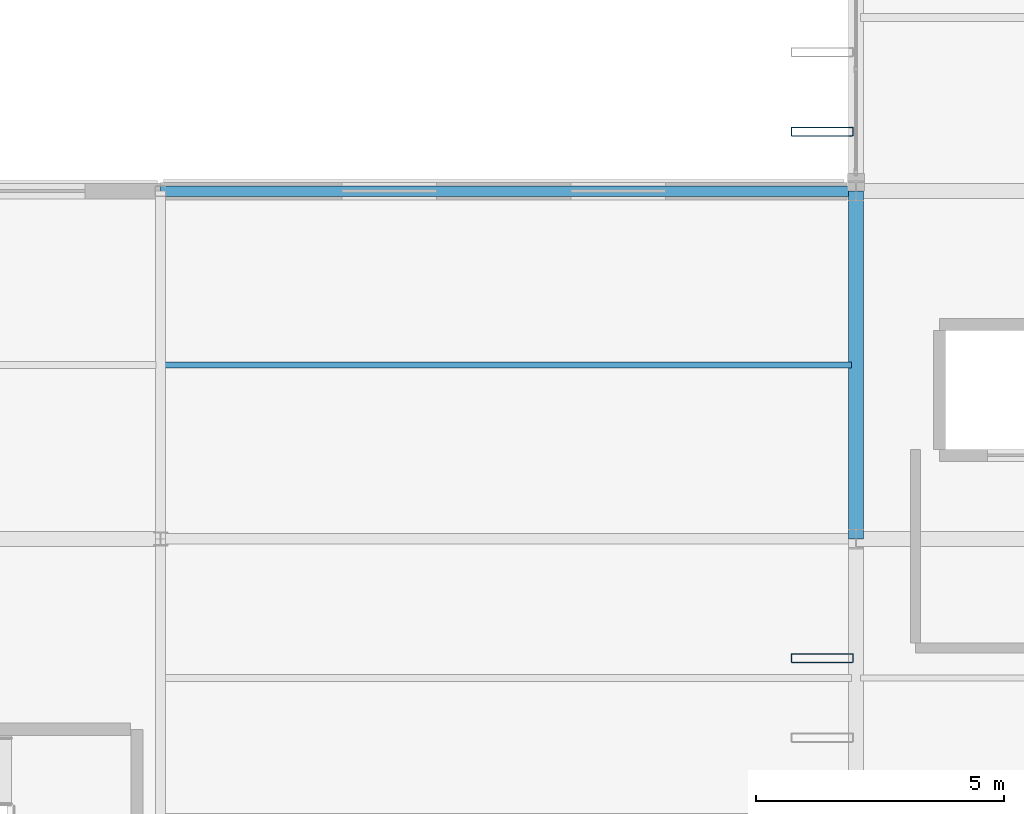
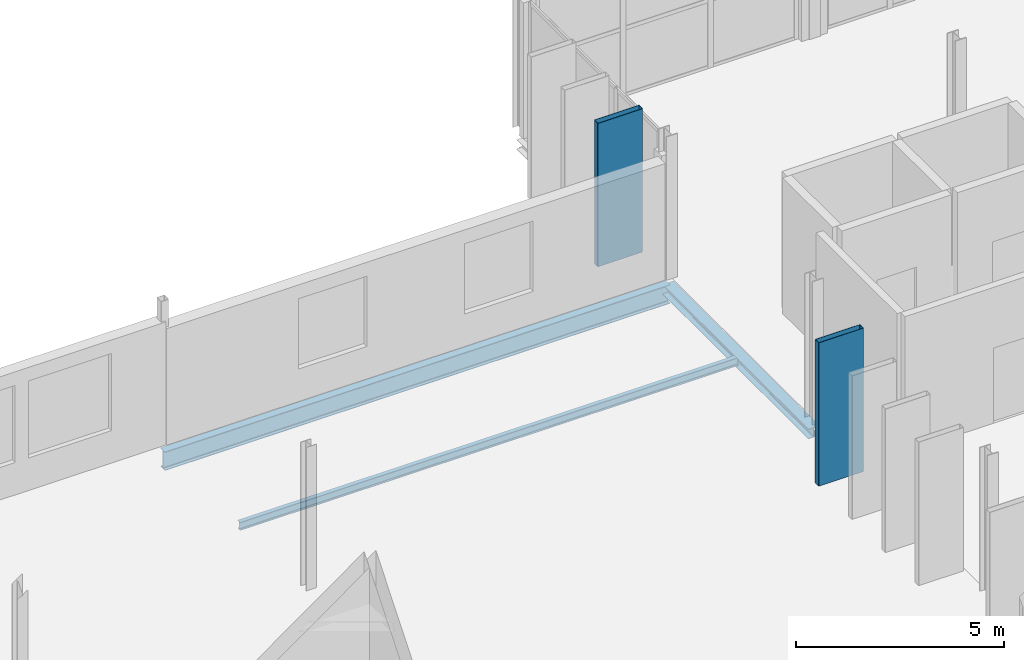
# One storey, part 21 of 101: 3 beams, 2 members.
"""IFC4 building model written with IfcOpenShell, lengths in metres."""

from ifc_helpers import new_model, si_unit, direction, frame, origin, origin_2d, place, context, subcontext, project, spatial, hollow_rectangle, i_section, extrude, material, material_profile, profile_set, type_object, element, save


model = new_model("IFC4")

# Units and contexts
model_context = context("Model", 3, precision=1e-05, world=origin(), true_north=direction((0.0, 1.0)))
body_context = subcontext(model_context, "Body", "Model", "MODEL_VIEW")
ifc_project = project(units=[si_unit("LENGTHUNIT", "METRE"), si_unit("AREAUNIT", "SQUARE_METRE"), si_unit("VOLUMEUNIT", "CUBIC_METRE"), si_unit("PLANEANGLEUNIT", "RADIAN"), si_unit("MASSUNIT", "GRAM", prefix="KILO")], contexts=[model_context])

# Site, building, storey
site_placement = place(None, origin())
site = spatial("IfcSite", under=ifc_project, at=site_placement, CompositionType="ELEMENT")
building_placement = place(site_placement, origin())
building = spatial("IfcBuilding", under=site, at=building_placement, Name="Vekula Escarpment Museum", CompositionType="ELEMENT")
storey_placement = place(building_placement, frame((0.0, 0.0, 18.0)))
storey = spatial("IfcBuildingStorey", under=building, at=storey_placement, Name="L04", CompositionType="ELEMENT", Elevation=18.0)

# Beams
ifc_material_1 = material(Name="Steel S355", Category="steel")
ifc_material_profile_1 = material_profile(ifc_material_1, i_section(OverallWidth=0.2099609375, OverallDepth=0.550048828125, WebThickness=0.010986328125, FlangeThickness=0.01708984375, FilletRadius=0.02392578125, at=origin_2d()), Name="IPE 550")
ifc_profile_set_1 = profile_set([ifc_material_profile_1], Name="Steel S355")
beam_type_1 = type_object("IfcBeamType", Name="BM-GIRD-IPE550", PredefinedType="BEAM", material=ifc_profile_set_1)
beam_1_placement = place(storey_placement, frame((56.0, 83.39990234375, -0.514892578125), z_axis=(1.0, 0.0, 0.0), x_axis=(0.0, 1.0, 0.0)))
element("IfcBeam", 1, at=beam_1_placement, inside=storey, type_object=beam_type_1, Name="Beam X L04 1770", PredefinedType="BEAM", context=body_context, shape_type="SweptSolid", body=[
    extrude(i_section(OverallWidth=0.2099609375, OverallDepth=0.550048828125, WebThickness=0.010986328125, FlangeThickness=0.01708984375, FilletRadius=0.02392578125, at=origin_2d()), origin(), (0.0, 0.0, 1.0), 14.0),
])
ifc_material_2 = material(Name="Steel S355", Category="steel")
ifc_material_profile_2 = material_profile(ifc_material_2, i_section(OverallWidth=0.1201171875, OverallDepth=0.239990234375, WebThickness=0.006103515625, FlangeThickness=0.009765625, FilletRadius=0.014892578125, at=origin_2d()), Name="IPE 240")
ifc_profile_set_2 = profile_set([ifc_material_profile_2], Name="Steel S355")
beam_type_2 = type_object("IfcBeamType", Name="BM-JST-IPE240", PredefinedType="JOIST", material=ifc_profile_set_2)
beam_2_placement = place(storey_placement, frame((56.090087890625, 79.89990234375, -0.360107421875), z_axis=(1.0, 0.0, 0.0), x_axis=(0.0, 1.0, 0.0)))
element("IfcBeam", 2, at=beam_2_placement, inside=storey, type_object=beam_type_2, Name="Secondary Joist L04 1196", PredefinedType="JOIST", context=body_context, shape_type="SweptSolid", body=[
    extrude(i_section(OverallWidth=0.1201171875, OverallDepth=0.239990234375, WebThickness=0.006103515625, FlangeThickness=0.009765625, FilletRadius=0.014892578125, at=origin_2d()), origin(), (0.0, 0.0, 1.0), 13.81982421875),
])
ifc_material_3 = material(Name="Steel S355", Category="steel")
ifc_material_profile_3 = material_profile(ifc_material_3, i_section(OverallWidth=0.300048828125, OverallDepth=0.2900390625, WebThickness=0.008544921875, FlangeThickness=0.013916015625, FilletRadius=0.027099609375, at=origin_2d()), Name="HEA 300")
ifc_profile_set_3 = profile_set([ifc_material_profile_3], Name="Steel S355")
beam_type_3 = type_object("IfcBeamType", Name="BM-SPAN-HEA300", PredefinedType="SPANDREL", material=ifc_profile_set_3)
beam_3_placement = place(storey_placement, frame((70.0, 76.39990234375, -0.385009765625), z_axis=(0.0, 1.0, 0.0), x_axis=(-1.0, 0.0, 0.0)))
element("IfcBeam", 3, at=beam_3_placement, inside=storey, type_object=beam_type_3, Name="Beam Y L04 1877", PredefinedType="SPANDREL", context=body_context, shape_type="SweptSolid", body=[
    extrude(i_section(OverallWidth=0.300048828125, OverallDepth=0.2900390625, WebThickness=0.008544921875, FlangeThickness=0.013916015625, FilletRadius=0.027099609375, at=origin_2d()), origin(), (0.0, 0.0, 1.0), 7.0),
])

# Members
ifc_material_4 = material(Name="Steel S355 weathered bronze solar fin", Category="steel")
ifc_material_profile_4 = material_profile(ifc_material_4, hollow_rectangle(XDim=0.179931640625, YDim=1.25, WallThickness=0.010009765625, InnerFilletRadius=0.010009765625, OuterFilletRadius=0.02001953125, at=origin_2d()), Name="RHS 1250x180x10")
ifc_profile_set_4 = profile_set([ifc_material_profile_4], Name="Steel S355 weathered bronze solar fin")
member_type = type_object("IfcMemberType", Name="MB-SOLAR-FIN", PredefinedType="USERDEFINED", material=ifc_profile_set_4)
for number, where, z_axis, x_axis, name in (
    (4, (69.320068359375, 74.0, 0.0), (0.0, 0.0, 1.0), (0.0, 1.0, 0.0), "Great Hall Vertical Solar Fin 0334"),
    (5, (69.320068359375, 84.60009765625, 0.0), (0.0, 0.0, 1.0), (0.0, 1.0, 0.0), "Great Hall Vertical Solar Fin 0339"),
):
    element("IfcMember", number, at=place(storey_placement, frame(where, z_axis=z_axis, x_axis=x_axis)), inside=storey, type_object=member_type, Name=name, ObjectType="SOLAR FIN", PredefinedType="USERDEFINED", context=body_context, shape_type="SweptSolid", body=[
        extrude(hollow_rectangle(XDim=0.179931640625, YDim=1.25, WallThickness=0.010009765625, InnerFilletRadius=0.010009765625, OuterFilletRadius=0.02001953125, at=origin_2d()), origin(), (0.0, 0.0, 1.0), 4.199951171875),
    ])

save(model, "model.ifc")
